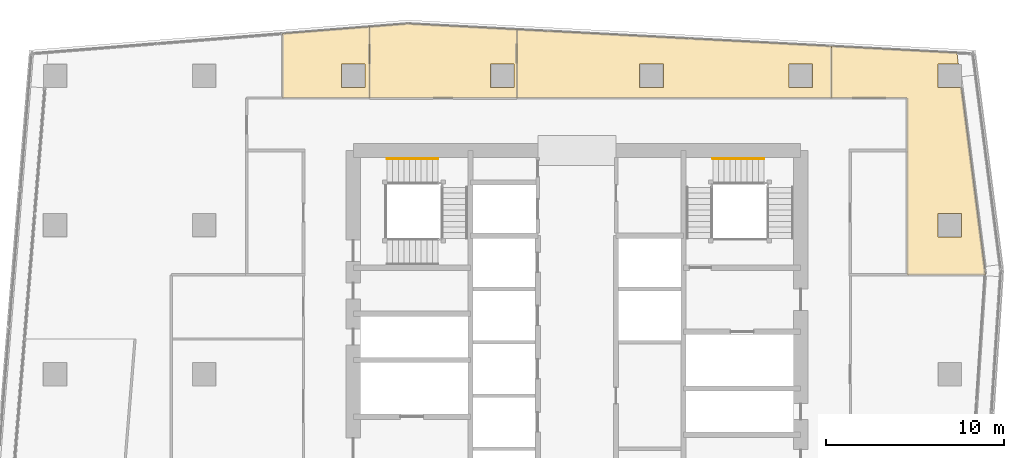
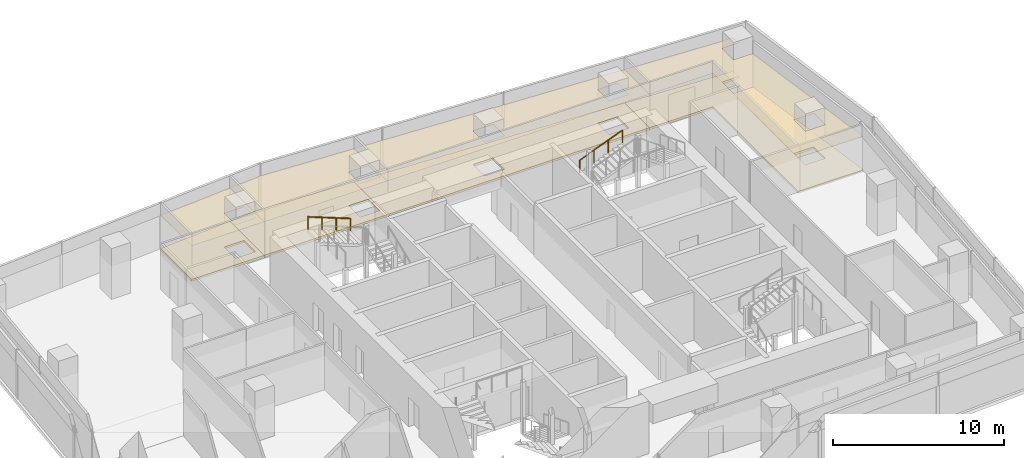
# One storey, part 30 of 30: 8 coverings, 2 railings.
"""IFC4 building model written with IfcOpenShell, lengths in metres."""

from ifc_helpers import new_model, si_unit, direction, frame, origin, origin_2d, place, context, subcontext, project, spatial, polyline, circle, outline, extrude, material, layer, layer_set, type_object, element, save


model = new_model("IFC4")

# Units and contexts
model_context = context("Model", 3, precision=1e-05, world=origin(), true_north=direction((0.0, 1.0)))
body_context = subcontext(model_context, "Body", "Model", "MODEL_VIEW")
ifc_project = project(units=[si_unit("LENGTHUNIT", "METRE"), si_unit("AREAUNIT", "SQUARE_METRE"), si_unit("VOLUMEUNIT", "CUBIC_METRE"), si_unit("PLANEANGLEUNIT", "RADIAN"), si_unit("MASSUNIT", "GRAM", prefix="KILO")], contexts=[model_context])

# Site, building, storey
site_placement = place(None, origin())
site = spatial("IfcSite", under=ifc_project, at=site_placement, CompositionType="ELEMENT")
building_placement = place(site_placement, origin())
building = spatial("IfcBuilding", under=site, at=building_placement, Name="Rekha Terrace Tower", CompositionType="ELEMENT")
storey_placement = place(building_placement, frame((0.0, 0.0, 287.60009765625)))
storey = spatial("IfcBuildingStorey", under=building, at=storey_placement, Name="L73", CompositionType="ELEMENT", Elevation=287.60009765625)

# Coverings
ifc_material_1 = material(Name="Mineral fibre tile in exposed grid", Category="finish")
ifc_layer_1 = layer(ifc_material_1, 0.02001953125)
ifc_layer_set_1 = layer_set([ifc_layer_1], Name="Mineral fibre tile in exposed grid")
covering_type_1 = type_object("IfcCoveringType", Name="CL1 600x1200 office grid ceiling", PredefinedType="CEILING", material=ifc_layer_set_1)
covering_1_placement = place(storey_placement, frame((0.0, 0.0, 2.52978515625)))
element("IfcCovering", 1, at=covering_1_placement, inside=storey, type_object=covering_type_1, Name="Ceiling L73-05", PredefinedType="CEILING", context=body_context, shape_type="SweptSolid", body=[
    extrude(outline(polyline([(52.123046875, 49.14990234375), (56.39990234375, 49.14990234375), (56.39990234375, 39.200927734375), (60.81201171875, 39.200927734375), (59.4541015625, 49.735107421875), (58.135009765625, 49.735107421875), (58.135009765625, 51.06494140625), (59.282958984375, 51.06494140625), (59.199951171875, 51.7060546875), (52.123046875, 52.08203125), (52.123046875, 49.14990234375)]), holes=[polyline([(59.465087890625, 41.3349609375), (58.135009765625, 41.3349609375), (58.135009765625, 42.6650390625), (59.465087890625, 42.6650390625), (59.465087890625, 41.3349609375)])]), origin(), (0.0, 0.0, 1.0), 0.02001953125),
])
covering_2_placement = place(storey_placement, frame((0.0, 0.0, 2.52978515625)))
element("IfcCovering", 2, at=covering_2_placement, inside=storey, type_object=covering_type_1, Name="Ceiling L73-07", PredefinedType="CEILING", context=body_context, shape_type="SweptSolid", body=[
    extrude(outline(polyline([(52.123046875, 49.14990234375), (52.123046875, 52.08203125), (44.172119140625, 52.5048828125), (34.41796875, 53.02294921875), (34.41796875, 49.14990234375), (52.123046875, 49.14990234375)]), holes=[polyline([(51.06494140625, 51.06494140625), (51.06494140625, 49.735107421875), (49.735107421875, 49.735107421875), (49.735107421875, 51.06494140625), (51.06494140625, 51.06494140625)]), polyline([(42.6650390625, 49.735107421875), (41.3349609375, 49.735107421875), (41.3349609375, 51.06494140625), (42.6650390625, 51.06494140625), (42.6650390625, 49.735107421875)])]), origin(), (0.0, 0.0, 1.0), 0.02001953125),
])
covering_3_placement = place(storey_placement, frame((0.0, 0.0, 2.52978515625)))
element("IfcCovering", 3, at=covering_3_placement, inside=storey, type_object=covering_type_1, Name="Ceiling L73-08", PredefinedType="CEILING", context=body_context, shape_type="SweptSolid", body=[
    extrude(outline(polyline([(26.118896484375, 49.14990234375), (26.118896484375, 53.177978515625), (21.22705078125, 52.7880859375), (21.22705078125, 49.14990234375), (26.118896484375, 49.14990234375)]), holes=[polyline([(25.864990234375, 51.06494140625), (25.864990234375, 49.735107421875), (24.534912109375, 49.735107421875), (24.534912109375, 51.06494140625), (25.864990234375, 51.06494140625)])]), origin(), (0.0, 0.0, 1.0), 0.02001953125),
])
covering_4_placement = place(storey_placement, frame((0.0, 0.0, 2.52978515625)))
element("IfcCovering", 4, at=covering_4_placement, inside=storey, type_object=covering_type_1, Name="Ceiling L73-O3", PredefinedType="CEILING", context=body_context, shape_type="SweptSolid", body=[
    extrude(outline(polyline([(34.41796875, 53.02294921875), (28.27294921875, 53.35009765625), (26.118896484375, 53.177978515625), (26.118896484375, 49.14990234375), (34.41796875, 49.14990234375), (34.41796875, 53.02294921875)]), holes=[polyline([(34.264892578125, 49.735107421875), (32.93505859375, 49.735107421875), (32.93505859375, 51.06494140625), (34.264892578125, 51.06494140625), (34.264892578125, 49.735107421875)])]), origin(), (0.0, 0.0, 1.0), 0.02001953125),
])

# Railings
ifc_material_2 = material(Name="Stainless steel tube", Category="steel")
railing_type = type_object("IfcRailingType", Name="HR1 900 stair handrail", PredefinedType="HANDRAIL", material=ifc_material_2)
railing_1_placement = place(storey_placement, frame((45.449951171875, 45.739990234375, 1.375)))
element("IfcRailing", 5, at=railing_1_placement, inside=storey, type_object=railing_type, Name="Handrail ST2 L73 flight 2", PredefinedType="HANDRAIL", context=body_context, shape_type="SweptSolid", body=[
    extrude(circle(Radius=0.02392578125, at=origin_2d()), frame((0.0, 0.0, 0.8759765625), z_axis=(0.931462784923, 0.0, 0.363836612098), x_axis=(0.0, 1.0, 0.0)), (0.0, 0.0, 1.0), 3.092041015625),
    extrude(circle(Radius=0.02099609375, at=origin_2d()), origin(), (0.0, 0.0, 1.0), 0.851806640625),
    extrude(circle(Radius=0.02099609375, at=origin_2d()), frame((0.9599609375, 0.0, 0.375)), (0.0, 0.0, 1.0), 0.851806640625),
    extrude(circle(Radius=0.02099609375, at=origin_2d()), frame((1.920166015625, 0.0, 0.75)), (0.0, 0.0, 1.0), 0.851806640625),
    extrude(circle(Radius=0.02099609375, at=origin_2d()), frame((2.880126953125, 0.0, 1.125)), (0.0, 0.0, 1.0), 0.851806640625),
])
railing_2_placement = place(storey_placement, frame((29.97998046875, 45.739990234375, 2.625)))
element("IfcRailing", 6, at=railing_2_placement, inside=storey, type_object=railing_type, Name="Handrail ST4 L73 flight 3", PredefinedType="HANDRAIL", context=body_context, shape_type="SweptSolid", body=[
    extrude(circle(Radius=0.02392578125, at=origin_2d()), frame((0.0, 0.0, 0.8759765625), z_axis=(-0.931452331594, 0.0, 0.363863372667), x_axis=(0.0, -1.0, 0.0)), (0.0, 0.0, 1.0), 3.091796875),
    extrude(circle(Radius=0.02099609375, at=origin_2d()), origin(), (0.0, 0.0, 1.0), 0.851806640625),
    extrude(circle(Radius=0.02099609375, at=origin_2d()), frame((-0.9599609375, 0.0, 0.375)), (0.0, 0.0, 1.0), 0.851806640625),
    extrude(circle(Radius=0.02099609375, at=origin_2d()), frame((-1.919921875, 0.0, 0.75)), (0.0, 0.0, 1.0), 0.851806640625),
    extrude(circle(Radius=0.02099609375, at=origin_2d()), frame((-2.8798828125, 0.0, 1.125)), (0.0, 0.0, 1.0), 0.851806640625),
])

# Coverings
ifc_material_3 = material(Name="Calcium sulphate panels on steel pedestals", Category="steel")
ifc_layer_2 = layer(ifc_material_3, 0.14990234375)
ifc_layer_set_2 = layer_set([ifc_layer_2], Name="Calcium sulphate panels on steel pedestals")
covering_type_2 = type_object("IfcCoveringType", Name="RF1 150 raised access floor", PredefinedType="FLOORING", material=ifc_layer_set_2)
covering_5_placement = place(storey_placement, origin())
element("IfcCovering", 7, at=covering_5_placement, inside=storey, type_object=covering_type_2, Name="Raised floor L73-05", PredefinedType="FLOORING", context=body_context, shape_type="SweptSolid", body=[
    extrude(outline(polyline([(52.123046875, 49.14990234375), (56.39990234375, 49.14990234375), (56.39990234375, 39.200927734375), (60.81201171875, 39.200927734375), (59.4541015625, 49.735107421875), (58.135009765625, 49.735107421875), (58.135009765625, 51.06494140625), (59.282958984375, 51.06494140625), (59.199951171875, 51.7060546875), (52.123046875, 52.08203125), (52.123046875, 49.14990234375)]), holes=[polyline([(59.465087890625, 41.3349609375), (58.135009765625, 41.3349609375), (58.135009765625, 42.6650390625), (59.465087890625, 42.6650390625), (59.465087890625, 41.3349609375)])]), origin(), (0.0, 0.0, 1.0), 0.14990234375),
])
covering_6_placement = place(storey_placement, origin())
element("IfcCovering", 8, at=covering_6_placement, inside=storey, type_object=covering_type_2, Name="Raised floor L73-07", PredefinedType="FLOORING", context=body_context, shape_type="SweptSolid", body=[
    extrude(outline(polyline([(52.123046875, 49.14990234375), (52.123046875, 52.08203125), (44.172119140625, 52.5048828125), (34.41796875, 53.02294921875), (34.41796875, 49.14990234375), (52.123046875, 49.14990234375)]), holes=[polyline([(51.06494140625, 51.06494140625), (51.06494140625, 49.735107421875), (49.735107421875, 49.735107421875), (49.735107421875, 51.06494140625), (51.06494140625, 51.06494140625)]), polyline([(42.6650390625, 49.735107421875), (41.3349609375, 49.735107421875), (41.3349609375, 51.06494140625), (42.6650390625, 51.06494140625), (42.6650390625, 49.735107421875)])]), origin(), (0.0, 0.0, 1.0), 0.14990234375),
])
covering_7_placement = place(storey_placement, origin())
element("IfcCovering", 9, at=covering_7_placement, inside=storey, type_object=covering_type_2, Name="Raised floor L73-08", PredefinedType="FLOORING", context=body_context, shape_type="SweptSolid", body=[
    extrude(outline(polyline([(26.118896484375, 49.14990234375), (26.118896484375, 53.177978515625), (21.22705078125, 52.7880859375), (21.22705078125, 49.14990234375), (26.118896484375, 49.14990234375)]), holes=[polyline([(25.864990234375, 51.06494140625), (25.864990234375, 49.735107421875), (24.534912109375, 49.735107421875), (24.534912109375, 51.06494140625), (25.864990234375, 51.06494140625)])]), origin(), (0.0, 0.0, 1.0), 0.14990234375),
])
covering_8_placement = place(storey_placement, origin())
element("IfcCovering", 10, at=covering_8_placement, inside=storey, type_object=covering_type_2, Name="Raised floor L73-O3", PredefinedType="FLOORING", context=body_context, shape_type="SweptSolid", body=[
    extrude(outline(polyline([(34.41796875, 53.02294921875), (28.27294921875, 53.35009765625), (26.118896484375, 53.177978515625), (26.118896484375, 49.14990234375), (34.41796875, 49.14990234375), (34.41796875, 53.02294921875)]), holes=[polyline([(34.264892578125, 49.735107421875), (32.93505859375, 49.735107421875), (32.93505859375, 51.06494140625), (34.264892578125, 51.06494140625), (34.264892578125, 49.735107421875)])]), origin(), (0.0, 0.0, 1.0), 0.14990234375),
])

save(model, "model.ifc")
